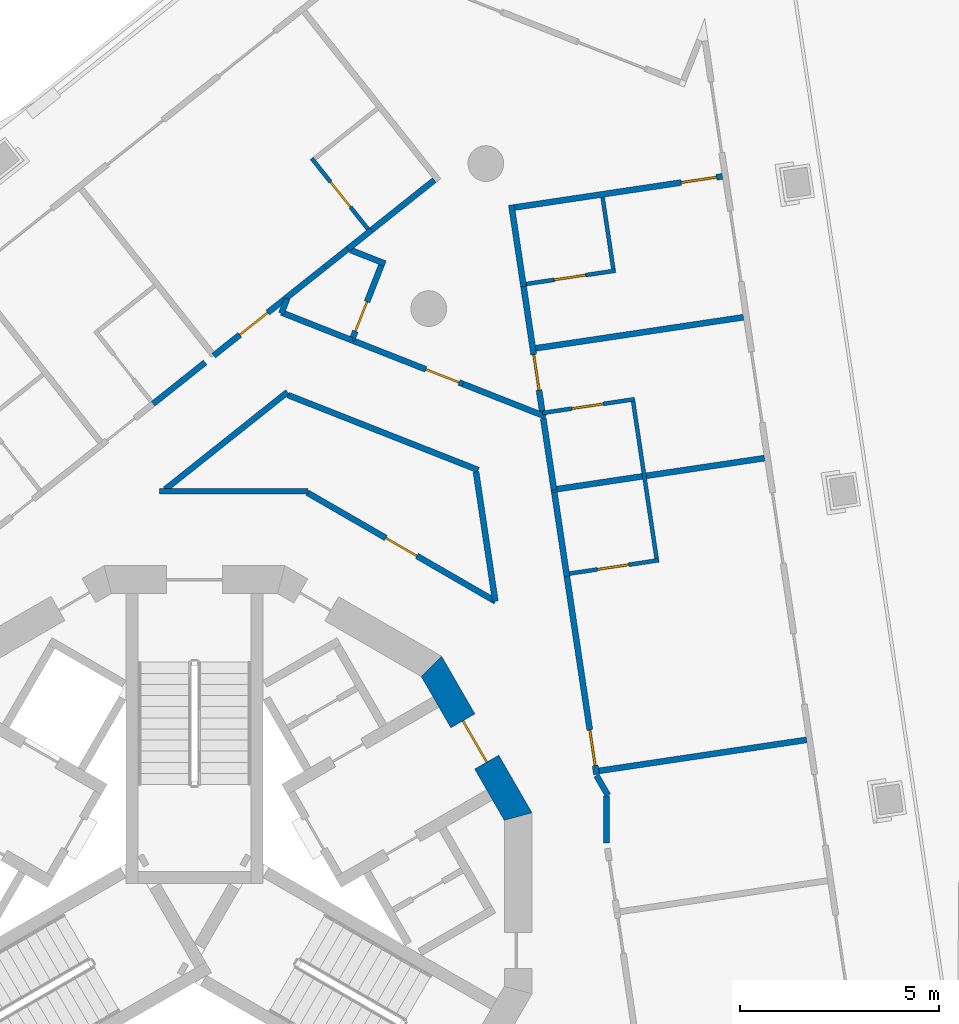
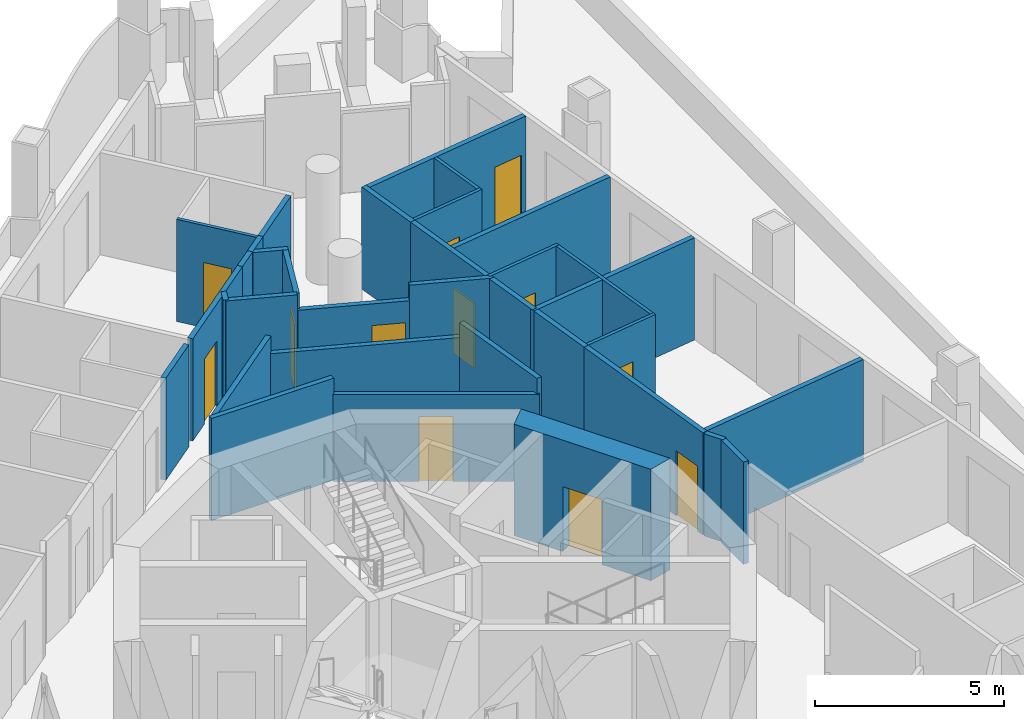
# One storey, part 8 of 16: 34 walls, 12 doors, 12 openings.
"""IFC4 building model written with IfcOpenShell, lengths in metres."""

from ifc_helpers import new_model, si_unit, direction, frame, frame_2d, origin, place, context, subcontext, project, spatial, polyline, rectangle, outline, extrude, material, layer, layer_set, type_object, element, fill, save


model = new_model("IFC4")

# Units and contexts
model_context = context("Model", 3, precision=1e-05, world=origin(), true_north=direction((0.0, 1.0)))
body_context = subcontext(model_context, "Body", "Model", "MODEL_VIEW")
ifc_project = project(units=[si_unit("LENGTHUNIT", "METRE"), si_unit("AREAUNIT", "SQUARE_METRE"), si_unit("VOLUMEUNIT", "CUBIC_METRE"), si_unit("PLANEANGLEUNIT", "RADIAN"), si_unit("MASSUNIT", "GRAM", prefix="KILO")], contexts=[model_context])

# Site, building, storey
site_placement = place(None, origin())
site = spatial("IfcSite", under=ifc_project, at=site_placement, CompositionType="ELEMENT")
building_placement = place(site_placement, origin())
building = spatial("IfcBuilding", under=site, at=building_placement, Name="Trine Commons Tower", CompositionType="ELEMENT")
storey_placement = place(building_placement, frame((0.0, 0.0, 198.0)))
storey = spatial("IfcBuildingStorey", under=building, at=storey_placement, Name="L51", CompositionType="ELEMENT", Elevation=198.0)

# Wall, opening, door
ifc_material_1 = material(Name="Concrete C60/75", Category="concrete")
ifc_layer_1 = layer(ifc_material_1, 0.699951171875)
ifc_layer_set_1 = layer_set([ifc_layer_1], Name="Concrete C60/75")
wall_type_1 = type_object("IfcWallType", Name="RC shear wall 700 mm, C60/75", PredefinedType="SHEAR", material=ifc_layer_set_1)
wall_1_placement = place(storey_placement, frame((88.197021484375, 64.6025390625, 0.0), z_axis=(0.0, 0.0, 1.0), x_axis=(-0.499983800959, 0.866034756103, 0.0)))
wall_1 = element("IfcWall", 1, at=wall_1_placement, inside=storey, type_object=wall_type_1, Name="Core wall CWF-02 L51", PredefinedType="SHEAR", context=body_context, shape_type="SweptSolid", body=[
    extrude(outline(polyline([(0.0, -0.35009765625), (4.55517578125, -0.35009765625), (4.36767578125, 0.35009765625), (0.1875, 0.35009765625), (0.0, -0.35009765625)])), origin(), (0.0, 0.0, 1.0), 3.60009765625),
])
opening_1_placement = place(wall_1_placement, frame((1.677490234375, 0.0, 0.0)))
opening_1 = element("IfcOpeningElement", 2, at=opening_1_placement, cuts=wall_1, Name="Opening K15.04", PredefinedType="OPENING", context=body_context, shape_type="SweptSolid", body=[
    extrude(rectangle(XDim=1.199951171875, YDim=2.10009765625, at=frame_2d((0.60009765625, 1.050048828125))), frame((0.0, 0.35986328125, 0.0), z_axis=(0.0, -1.0, 0.0), x_axis=(1.0, 0.0, 0.0)), (0.0, 0.0, 1.0), 0.719970703125),
])
ifc_material_2 = material(Name="Steel door leaves, fire-rated", Category="steel")
door_type_1 = type_object("IfcDoorType", Name="Lobby door, double leaf 1200 x 2100, FD60", OperationType="DOUBLE_DOOR_SINGLE_SWING", PredefinedType="DOOR", material=ifc_material_2)
door_1_placement = place(opening_1_placement, origin())
door_1 = element("IfcDoor", 3, at=door_1_placement, inside=storey, type_object=door_type_1, Name="Lobby door, Core lounge L51", OperationType="DOUBLE_DOOR_SINGLE_SWING", OverallHeight=2.10009765625, OverallWidth=1.199951171875, PredefinedType="DOOR", context=body_context, shape_type="SweptSolid", body=[
    extrude(rectangle(XDim=1.199951171875, YDim=2.10009765625, at=frame_2d((0.60009765625, 1.050048828125))), frame((0.0, 0.02490234375, 0.0), z_axis=(0.0, -1.0, 0.0), x_axis=(1.0, 0.0, 0.0)), (0.0, 0.0, 1.0), 0.050048828125),
])
fill(opening_1, door_1)

# Walls
ifc_material_3 = material(Name="Gypsum plasterboard on steel stud", Category="steel")
ifc_layer_2 = layer(ifc_material_3, 0.14990234375)
ifc_layer_set_2 = layer_set([ifc_layer_2], Name="Gypsum plasterboard on steel stud")
wall_type_2 = type_object("IfcWallType", Name="Unit and corridor wall 150 mm, EI 60", PredefinedType="PARTITIONING", material=ifc_layer_set_2)
wall_2_placement = place(storey_placement, frame((78.95703125, 75.074951171875, 0.0), z_axis=(0.0, 0.0, 1.0), x_axis=(0.782797783459, 0.622276168764, 0.0)))
element("IfcWall", 4, at=wall_2_placement, inside=storey, type_object=wall_type_2, Name="Partition 055", PredefinedType="PARTITIONING", context=body_context, shape_type="SweptSolid", body=[
    extrude(rectangle(XDim=1.676025390625, YDim=0.14990234375, at=frame_2d((0.837890625, 0.0))), origin(), (0.0, 0.0, 1.0), 3.300048828125),
])
wall_3_placement = place(storey_placement, frame((79.125, 72.875, 0.0), z_axis=(0.0, 0.0, 1.0), x_axis=(1.0, 0.0, 0.0)))
element("IfcWall", 5, at=wall_3_placement, inside=storey, type_object=wall_type_2, Name="Partition 056", PredefinedType="PARTITIONING", context=body_context, shape_type="SweptSolid", body=[
    extrude(rectangle(XDim=3.72998046875, YDim=0.14990234375, at=frame_2d((1.864990234375, 0.0))), origin(), (0.0, 0.0, 1.0), 3.300048828125),
])
wall_4_placement = place(storey_placement, frame((79.2626953125, 72.921630859375, 0.0), z_axis=(0.0, 0.0, 1.0), x_axis=(0.782518607784, 0.622627198629, 0.0)))
element("IfcWall", 6, at=wall_4_placement, inside=storey, type_object=wall_type_2, Name="Partition 057", PredefinedType="PARTITIONING", context=body_context, shape_type="SweptSolid", body=[
    extrude(rectangle(XDim=3.934814453125, YDim=0.14990234375, at=frame_2d((1.96728515625, 0.0))), origin(), (0.0, 0.0, 1.0), 3.300048828125),
])

# Wall, opening, door
wall_5_placement = place(storey_placement, frame((80.48291015625, 76.2890625, 0.0), z_axis=(0.0, 0.0, 1.0), x_axis=(0.782683898342, 0.622419404643, 0.0)))
wall_5 = element("IfcWall", 7, at=wall_5_placement, inside=storey, type_object=wall_type_2, Name="Partition 058", PredefinedType="PARTITIONING", context=body_context, shape_type="SweptSolid", body=[
    extrude(rectangle(XDim=3.589111328125, YDim=0.14990234375, at=frame_2d((1.79443359375, 0.0))), origin(), (0.0, 0.0, 1.0), 3.300048828125),
])
opening_2_placement = place(wall_5_placement, frame((0.841064453125, 0.0, 0.0)))
opening_2 = element("IfcOpeningElement", 8, at=opening_2_placement, cuts=wall_5, Name="Opening D-6A12", PredefinedType="OPENING", context=body_context, shape_type="SweptSolid", body=[
    extrude(rectangle(XDim=0.89990234375, YDim=2.10009765625, at=frame_2d((0.449951171875, 1.050048828125))), frame((0.0, 0.0849609375, 0.0), z_axis=(0.0, -1.0, 0.0), x_axis=(1.0, 0.0, 0.0)), (0.0, 0.0, 1.0), 0.169921875),
])
ifc_material_4 = material(Name="Timber fire door set", Category="wood")
door_type_2 = type_object("IfcDoorType", Name="Bedroom door 900 x 2100, FD30S", OperationType="NOTDEFINED", PredefinedType="DOOR", material=ifc_material_4)
door_2_placement = place(opening_2_placement, origin())
door_2 = element("IfcDoor", 9, at=door_2_placement, inside=storey, type_object=door_type_2, Name="Door D-6A12", OperationType="SINGLE_SWING_LEFT", OverallHeight=2.10009765625, OverallWidth=0.89990234375, PredefinedType="DOOR", context=body_context, shape_type="SweptSolid", body=[
    extrude(rectangle(XDim=0.89990234375, YDim=2.10009765625, at=frame_2d((0.449951171875, 1.050048828125))), frame((0.0, 0.02490234375, 0.0), z_axis=(0.0, -1.0, 0.0), x_axis=(1.0, 0.0, 0.0)), (0.0, 0.0, 1.0), 0.050048828125),
])
fill(opening_2, door_2)

# Walls
wall_6_placement = place(storey_placement, frame((82.19189453125, 77.3759765625, 0.0), z_axis=(0.0, 0.0, 1.0), x_axis=(0.93022308185, -0.366994574882, 0.0)))
element("IfcWall", 10, at=wall_6_placement, inside=storey, type_object=wall_type_2, Name="Partition 061", PredefinedType="PARTITIONING", context=body_context, shape_type="SweptSolid", body=[
    extrude(rectangle(XDim=1.9072265625, YDim=0.14990234375, at=frame_2d((0.95361328125, 0.0))), origin(), (0.0, 0.0, 1.0), 3.300048828125),
])
wall_7_placement = place(storey_placement, frame((82.188232421875, 77.3544921875, 0.0), z_axis=(0.0, 0.0, 1.0), x_axis=(0.365066779339, 0.930981335271, 0.0)))
element("IfcWall", 11, at=wall_7_placement, inside=storey, type_object=wall_type_2, Name="Partition 062", PredefinedType="PARTITIONING", context=body_context, shape_type="SweptSolid", body=[
    extrude(rectangle(XDim=0.39990234375, YDim=0.14990234375, at=frame_2d((0.199951171875, 0.0))), origin(), (0.0, 0.0, 1.0), 3.300048828125),
])
wall_8_placement = place(storey_placement, frame((82.352783203125, 75.297607421875, 0.0), z_axis=(0.0, 0.0, 1.0), x_axis=(0.930366278921, -0.366631404883, 0.0)))
element("IfcWall", 12, at=wall_8_placement, inside=storey, type_object=wall_type_2, Name="Partition 063", PredefinedType="PARTITIONING", context=body_context, shape_type="SweptSolid", body=[
    extrude(rectangle(XDim=5.15283203125, YDim=0.14990234375, at=frame_2d((2.576416015625, 0.0))), origin(), (0.0, 0.0, 1.0), 2.800048828125),
])

# Wall, opening, door
wall_9_placement = place(storey_placement, frame((82.844970703125, 72.83740234375, 0.0), z_axis=(0.0, 0.0, 1.0), x_axis=(0.865990633405, -0.500060219228, 0.0)))
wall_9 = element("IfcWall", 13, at=wall_9_placement, inside=storey, type_object=wall_type_2, Name="Partition 066", PredefinedType="PARTITIONING", context=body_context, shape_type="SweptSolid", body=[
    extrude(rectangle(XDim=5.464111328125, YDim=0.14990234375, at=frame_2d((2.73193359375, 0.0))), origin(), (0.0, 0.0, 1.0), 2.800048828125),
])
opening_3_placement = place(wall_9_placement, frame((2.280517578125, 0.0, 0.0)))
opening_3 = element("IfcOpeningElement", 14, at=opening_3_placement, cuts=wall_9, Name="Opening D-6A27", PredefinedType="OPENING", context=body_context, shape_type="SweptSolid", body=[
    extrude(rectangle(XDim=0.89990234375, YDim=2.10009765625, at=frame_2d((0.449951171875, 1.050048828125))), frame((0.0, 0.0849609375, 0.0), z_axis=(0.0, -1.0, 0.0), x_axis=(1.0, 0.0, 0.0)), (0.0, 0.0, 1.0), 0.169921875),
])
door_type_3 = type_object("IfcDoorType", Name="Service door 900 x 2100, FD30S", OperationType="NOTDEFINED", PredefinedType="DOOR", material=ifc_material_4)
door_3_placement = place(opening_3_placement, origin())
door_3 = element("IfcDoor", 15, at=door_3_placement, inside=storey, type_object=door_type_3, Name="Door D-6A27", OperationType="SINGLE_SWING_LEFT", OverallHeight=2.10009765625, OverallWidth=0.89990234375, PredefinedType="DOOR", context=body_context, shape_type="SweptSolid", body=[
    extrude(rectangle(XDim=0.89990234375, YDim=2.10009765625, at=frame_2d((0.449951171875, 1.050048828125))), frame((0.0, 0.02490234375, 0.0), z_axis=(0.0, -1.0, 0.0), x_axis=(1.0, 0.0, 0.0)), (0.0, 0.0, 1.0), 0.050048828125),
])
fill(opening_3, door_3)

# Walls
wall_10_placement = place(storey_placement, frame((83.2919921875, 78.52294921875, 0.0), z_axis=(0.0, 0.0, 1.0), x_axis=(0.782961678727, 0.622069939512, 0.0)))
element("IfcWall", 16, at=wall_10_placement, inside=storey, type_object=wall_type_2, Name="Partition 071", PredefinedType="PARTITIONING", context=body_context, shape_type="SweptSolid", body=[
    extrude(rectangle(XDim=0.726806640625, YDim=0.14990234375, at=frame_2d((0.36328125, 0.0))), origin(), (0.0, 0.0, 1.0), 3.300048828125),
])
wall_11_placement = place(storey_placement, frame((83.861083984375, 78.97509765625, 0.0), z_axis=(0.0, 0.0, 1.0), x_axis=(0.782427401713, 0.622741809298, 0.0)))
element("IfcWall", 17, at=wall_11_placement, inside=storey, type_object=wall_type_2, Name="Partition 074", PredefinedType="PARTITIONING", context=body_context, shape_type="SweptSolid", body=[
    extrude(rectangle(XDim=0.762939453125, YDim=0.14990234375, at=frame_2d((0.38134765625, 0.0))), origin(), (0.0, 0.0, 1.0), 3.300048828125),
])
wall_12_placement = place(storey_placement, frame((83.930908203125, 78.947509765625, 0.0), z_axis=(0.0, 0.0, 1.0), x_axis=(0.930564496223, -0.366128008175, 0.0)))
element("IfcWall", 18, at=wall_12_placement, inside=storey, type_object=wall_type_2, Name="Partition 075", PredefinedType="PARTITIONING", context=body_context, shape_type="SweptSolid", body=[
    extrude(rectangle(XDim=0.936767578125, YDim=0.14990234375, at=frame_2d((0.46826171875, 0.0))), origin(), (0.0, 0.0, 1.0), 3.300048828125),
])

# Wall, opening, door
wall_13_placement = place(storey_placement, frame((83.962890625, 76.677978515625, 0.0), z_axis=(0.0, 0.0, 1.0), x_axis=(0.366688940458, 0.9303436037, 0.0)))
wall_13 = element("IfcWall", 19, at=wall_13_placement, inside=storey, type_object=wall_type_2, Name="Partition 076", PredefinedType="PARTITIONING", context=body_context, shape_type="SweptSolid", body=[
    extrude(rectangle(XDim=2.025390625, YDim=0.14990234375, at=frame_2d((1.0126953125, 0.0))), origin(), (0.0, 0.0, 1.0), 3.300048828125),
])
opening_4_placement = place(wall_13_placement, frame((0.24267578125, 0.0, 0.0)))
opening_4 = element("IfcOpeningElement", 20, at=opening_4_placement, cuts=wall_13, Name="Opening D-6A04", PredefinedType="OPENING", context=body_context, shape_type="SweptSolid", body=[
    extrude(rectangle(XDim=0.800048828125, YDim=2.10009765625, at=frame_2d((0.39990234375, 1.050048828125))), frame((0.0, 0.0849609375, 0.0), z_axis=(0.0, -1.0, 0.0), x_axis=(1.0, 0.0, 0.0)), (0.0, 0.0, 1.0), 0.169921875),
])
ifc_material_5 = material(Name="Painted timber", Category="wood")
door_type_4 = type_object("IfcDoorType", Name="Toilet door 800 x 2100, NOT RATED", OperationType="NOTDEFINED", PredefinedType="DOOR", material=ifc_material_5)
door_4_placement = place(opening_4_placement, origin())
door_4 = element("IfcDoor", 21, at=door_4_placement, inside=storey, type_object=door_type_4, Name="Door D-6A04", OperationType="SINGLE_SWING_LEFT", OverallHeight=2.10009765625, OverallWidth=0.800048828125, PredefinedType="DOOR", context=body_context, shape_type="SweptSolid", body=[
    extrude(rectangle(XDim=0.800048828125, YDim=2.10009765625, at=frame_2d((0.39990234375, 1.050048828125))), frame((0.0, 0.02490234375, 0.0), z_axis=(0.0, -1.0, 0.0), x_axis=(1.0, 0.0, 0.0)), (0.0, 0.0, 1.0), 0.050048828125),
])
fill(opening_4, door_4)

wall_14_placement = place(storey_placement, frame((83.97705078125, 76.672119140625, 0.0), z_axis=(0.0, 0.0, 1.0), x_axis=(0.930513911047, -0.36625655127, 0.0)))
wall_14 = element("IfcWall", 22, at=wall_14_placement, inside=storey, type_object=wall_type_2, Name="Partition 077", PredefinedType="PARTITIONING", context=body_context, shape_type="SweptSolid", body=[
    extrude(rectangle(XDim=2.987548828125, YDim=0.14990234375, at=frame_2d((1.49365234375, 0.0))), origin(), (0.0, 0.0, 1.0), 2.800048828125),
])
opening_5_placement = place(wall_14_placement, frame((1.987548828125, 0.0, 0.0)))
opening_5 = element("IfcOpeningElement", 23, at=opening_5_placement, cuts=wall_14, Name="Opening D-6A01", PredefinedType="OPENING", context=body_context, shape_type="SweptSolid", body=[
    extrude(rectangle(XDim=0.89990234375, YDim=2.10009765625, at=frame_2d((0.449951171875, 1.050048828125))), frame((0.0, 0.0849609375, 0.0), z_axis=(0.0, -1.0, 0.0), x_axis=(1.0, 0.0, 0.0)), (0.0, 0.0, 1.0), 0.169921875),
])
door_type_5 = type_object("IfcDoorType", Name="Cluster entrance door 900 x 2100, FD30S", OperationType="NOTDEFINED", PredefinedType="DOOR", material=ifc_material_4)
door_5_placement = place(opening_5_placement, origin())
door_5 = element("IfcDoor", 24, at=door_5_placement, inside=storey, type_object=door_type_5, Name="Door D-6A01", OperationType="SINGLE_SWING_RIGHT", OverallHeight=2.10009765625, OverallWidth=0.89990234375, PredefinedType="DOOR", context=body_context, shape_type="SweptSolid", body=[
    extrude(rectangle(XDim=0.89990234375, YDim=2.10009765625, at=frame_2d((0.449951171875, 1.050048828125))), frame((0.0, 0.02490234375, 0.0), z_axis=(0.0, -1.0, 0.0), x_axis=(1.0, 0.0, 0.0)), (0.0, 0.0, 1.0), 0.050048828125),
])
fill(opening_5, door_5)

# Walls
wall_15_placement = place(storey_placement, frame((84.4130859375, 79.4150390625, 0.0), z_axis=(0.0, 0.0, 1.0), x_axis=(0.782688216637, 0.622413974407, 0.0)))
element("IfcWall", 25, at=wall_15_placement, inside=storey, type_object=wall_type_2, Name="Partition 078", PredefinedType="PARTITIONING", context=body_context, shape_type="SweptSolid", body=[
    extrude(rectangle(XDim=2.07763671875, YDim=0.14990234375, at=frame_2d((1.038818359375, 0.0))), origin(), (0.0, 0.0, 1.0), 3.300048828125),
])
wall_16_placement = place(storey_placement, frame((86.757080078125, 75.577880859375, 0.0), z_axis=(0.0, 0.0, 1.0), x_axis=(0.930344172236, -0.366687497997, 0.0)))
element("IfcWall", 26, at=wall_16_placement, inside=storey, type_object=wall_type_2, Name="Partition 084", PredefinedType="PARTITIONING", context=body_context, shape_type="SweptSolid", body=[
    extrude(rectangle(XDim=2.23974609375, YDim=0.14990234375, at=frame_2d((1.119873046875, 0.0))), origin(), (0.0, 0.0, 1.0), 3.300048828125),
])
wall_17_placement = place(storey_placement, frame((87.088134765625, 73.36181640625, 0.0), z_axis=(0.0, 0.0, 1.0), x_axis=(0.147629393442, -0.989042750437, 0.0)))
element("IfcWall", 27, at=wall_17_placement, inside=storey, type_object=wall_type_2, Name="Partition 085", PredefinedType="PARTITIONING", context=body_context, shape_type="SweptSolid", body=[
    extrude(rectangle(XDim=3.291015625, YDim=0.14990234375, at=frame_2d((1.6455078125, 0.0))), origin(), (0.0, 0.0, 1.0), 3.300048828125),
])
wall_18_placement = place(storey_placement, frame((87.97900390625, 80.084228515625, 0.0), z_axis=(0.0, 0.0, 1.0), x_axis=(0.147880939426, -0.989005170742, 0.0)))
element("IfcWall", 28, at=wall_18_placement, inside=storey, type_object=wall_type_2, Name="Partition 088", PredefinedType="PARTITIONING", context=body_context, shape_type="SweptSolid", body=[
    extrude(rectangle(XDim=2.07861328125, YDim=0.14990234375, at=frame_2d((1.039306640625, 0.0))), origin(), (0.0, 0.0, 1.0), 3.300048828125),
])

# Wall, opening, door
wall_19_placement = place(storey_placement, frame((88.064208984375, 80.02099609375, 0.0), z_axis=(0.0, 0.0, 1.0), x_axis=(0.988994889639, 0.147949681543, 0.0)))
wall_19 = element("IfcWall", 29, at=wall_19_placement, inside=storey, type_object=wall_type_2, Name="Partition 089", PredefinedType="PARTITIONING", context=body_context, shape_type="SweptSolid", body=[
    extrude(rectangle(XDim=5.285400390625, YDim=0.14990234375, at=frame_2d((2.642578125, 0.0))), origin(), (0.0, 0.0, 1.0), 3.300048828125),
])
opening_6_placement = place(wall_19_placement, frame((4.2353515625, 0.0, 0.0)))
opening_6 = element("IfcOpeningElement", 30, at=opening_6_placement, cuts=wall_19, Name="Opening D-6A13", PredefinedType="OPENING", context=body_context, shape_type="SweptSolid", body=[
    extrude(rectangle(XDim=0.89990234375, YDim=2.10009765625, at=frame_2d((0.449951171875, 1.050048828125))), frame((0.0, 0.0849609375, 0.0), z_axis=(0.0, -1.0, 0.0), x_axis=(1.0, 0.0, 0.0)), (0.0, 0.0, 1.0), 0.169921875),
])
door_6_placement = place(opening_6_placement, frame((0.89990234375, 0.0, 0.0), z_axis=(0.0, 0.0, 1.0), x_axis=(-1.0, 0.0, 0.0)))
door_6 = element("IfcDoor", 31, at=door_6_placement, inside=storey, type_object=door_type_2, Name="Door D-6A13", OperationType="SINGLE_SWING_LEFT", OverallHeight=2.10009765625, OverallWidth=0.89990234375, PredefinedType="DOOR", context=body_context, shape_type="SweptSolid", body=[
    extrude(rectangle(XDim=0.89990234375, YDim=2.10009765625, at=frame_2d((0.449951171875, 1.050048828125))), frame((0.0, 0.02490234375, 0.0), z_axis=(0.0, -1.0, 0.0), x_axis=(1.0, 0.0, 0.0)), (0.0, 0.0, 1.0), 0.050048828125),
])
fill(opening_6, door_6)

wall_20_placement = place(storey_placement, frame((88.278076171875, 78.0859375, 0.0), z_axis=(0.0, 0.0, 1.0), x_axis=(0.147535964678, -0.989056691563, 0.0)))
wall_20 = element("IfcWall", 32, at=wall_20_placement, inside=storey, type_object=wall_type_2, Name="Partition 091", PredefinedType="PARTITIONING", context=body_context, shape_type="SweptSolid", body=[
    extrude(rectangle(XDim=3.27978515625, YDim=0.14990234375, at=frame_2d((1.639892578125, 0.0))), origin(), (0.0, 0.0, 1.0), 3.300048828125),
])
opening_7_placement = place(wall_20_placement, frame((1.789794921875, 0.0, 0.0)))
opening_7 = element("IfcOpeningElement", 33, at=opening_7_placement, cuts=wall_20, Name="Opening D-6A14", PredefinedType="OPENING", context=body_context, shape_type="SweptSolid", body=[
    extrude(rectangle(XDim=0.89990234375, YDim=2.10009765625, at=frame_2d((0.449951171875, 1.050048828125))), frame((0.0, 0.0849609375, 0.0), z_axis=(0.0, -1.0, 0.0), x_axis=(1.0, 0.0, 0.0)), (0.0, 0.0, 1.0), 0.169921875),
])
door_7_placement = place(opening_7_placement, origin())
door_7 = element("IfcDoor", 34, at=door_7_placement, inside=storey, type_object=door_type_2, Name="Door D-6A14", OperationType="SINGLE_SWING_RIGHT", OverallHeight=2.10009765625, OverallWidth=0.89990234375, PredefinedType="DOOR", context=body_context, shape_type="SweptSolid", body=[
    extrude(rectangle(XDim=0.89990234375, YDim=2.10009765625, at=frame_2d((0.449951171875, 1.050048828125))), frame((0.0, 0.02490234375, 0.0), z_axis=(0.0, -1.0, 0.0), x_axis=(1.0, 0.0, 0.0)), (0.0, 0.0, 1.0), 0.050048828125),
])
fill(opening_7, door_7)

# Walls
wall_21_placement = place(storey_placement, frame((88.59423828125, 76.47509765625, 0.0), z_axis=(0.0, 0.0, 1.0), x_axis=(0.989020900083, 0.147775705715, 0.0)))
element("IfcWall", 35, at=wall_21_placement, inside=storey, type_object=wall_type_2, Name="Partition 094", PredefinedType="PARTITIONING", context=body_context, shape_type="SweptSolid", body=[
    extrude(rectangle(XDim=5.28515625, YDim=0.14990234375, at=frame_2d((2.642578125, 0.0))), origin(), (0.0, 0.0, 1.0), 3.300048828125),
])
wall_22_placement = place(storey_placement, frame((88.781982421875, 74.709716796875, 0.0), z_axis=(0.0, 0.0, 1.0), x_axis=(0.148097298626, -0.98897279545, 0.0)))
element("IfcWall", 36, at=wall_22_placement, inside=storey, type_object=wall_type_2, Name="Partition 096", PredefinedType="PARTITIONING", context=body_context, shape_type="SweptSolid", body=[
    extrude(rectangle(XDim=1.816650390625, YDim=0.14990234375, at=frame_2d((0.908203125, 0.0))), origin(), (0.0, 0.0, 1.0), 3.300048828125),
])
wall_23_placement = place(storey_placement, frame((88.975830078125, 72.906005859375, 0.0), z_axis=(0.0, 0.0, 1.0), x_axis=(0.989026447028, 0.147738576813, 0.0)))
element("IfcWall", 37, at=wall_23_placement, inside=storey, type_object=wall_type_2, Name="Partition 097", PredefinedType="PARTITIONING", context=body_context, shape_type="SweptSolid", body=[
    extrude(rectangle(XDim=5.43505859375, YDim=0.14990234375, at=frame_2d((2.717529296875, 0.0))), origin(), (0.0, 0.0, 1.0), 3.300048828125),
])
wall_24_placement = place(storey_placement, frame((89.06103515625, 72.8466796875, 0.0), z_axis=(0.0, 0.0, 1.0), x_axis=(0.147461434702, -0.989067806207, 0.0)))
element("IfcWall", 38, at=wall_24_placement, inside=storey, type_object=wall_type_2, Name="Partition 098", PredefinedType="PARTITIONING", context=body_context, shape_type="SweptSolid", body=[
    extrude(rectangle(XDim=2.13232421875, YDim=0.14990234375, at=frame_2d((1.066162109375, 0.0))), origin(), (0.0, 0.0, 1.0), 3.300048828125),
])

# Wall, opening, door
wall_25_placement = place(storey_placement, frame((89.366943359375, 70.794921875, 0.0), z_axis=(0.0, 0.0, 1.0), x_axis=(0.147912499189, -0.989000451256, 0.0)))
wall_25 = element("IfcWall", 39, at=wall_25_placement, inside=storey, type_object=wall_type_2, Name="Partition 101", PredefinedType="PARTITIONING", context=body_context, shape_type="SweptSolid", body=[
    extrude(rectangle(XDim=5.105224609375, YDim=0.14990234375, at=frame_2d((2.552734375, 0.0))), origin(), (0.0, 0.0, 1.0), 3.300048828125),
])
opening_8_placement = place(wall_25_placement, frame((3.976318359375, 0.0, 0.0)))
opening_8 = element("IfcOpeningElement", 40, at=opening_8_placement, cuts=wall_25, Name="Opening D-6A15", PredefinedType="OPENING", context=body_context, shape_type="SweptSolid", body=[
    extrude(rectangle(XDim=0.89990234375, YDim=2.10009765625, at=frame_2d((0.449951171875, 1.050048828125))), frame((0.0, 0.0849609375, 0.0), z_axis=(0.0, -1.0, 0.0), x_axis=(1.0, 0.0, 0.0)), (0.0, 0.0, 1.0), 0.169921875),
])
door_8_placement = place(opening_8_placement, origin())
door_8 = element("IfcDoor", 41, at=door_8_placement, inside=storey, type_object=door_type_2, Name="Door D-6A15", OperationType="SINGLE_SWING_RIGHT", OverallHeight=2.10009765625, OverallWidth=0.89990234375, PredefinedType="DOOR", context=body_context, shape_type="SweptSolid", body=[
    extrude(rectangle(XDim=0.89990234375, YDim=2.10009765625, at=frame_2d((0.449951171875, 1.050048828125))), frame((0.0, 0.02490234375, 0.0), z_axis=(0.0, -1.0, 0.0), x_axis=(1.0, 0.0, 0.0)), (0.0, 0.0, 1.0), 0.050048828125),
])
fill(opening_8, door_8)

# Walls
wall_26_placement = place(storey_placement, frame((90.18408203125, 65.835205078125, 0.0), z_axis=(0.0, 0.0, 1.0), x_axis=(0.98902190879, 0.147768954566, 0.0)))
element("IfcWall", 42, at=wall_26_placement, inside=storey, type_object=wall_type_2, Name="Partition 104", PredefinedType="PARTITIONING", context=body_context, shape_type="SweptSolid", body=[
    extrude(rectangle(XDim=5.285400390625, YDim=0.14990234375, at=frame_2d((2.642578125, 0.0))), origin(), (0.0, 0.0, 1.0), 3.300048828125),
])
wall_27_placement = place(storey_placement, frame((90.12109375, 65.718994140625, 0.0), z_axis=(0.0, 0.0, 1.0), x_axis=(0.500738673164, -0.865598510395, 0.0)))
element("IfcWall", 43, at=wall_27_placement, inside=storey, type_object=wall_type_2, Name="Partition 105", PredefinedType="PARTITIONING", context=body_context, shape_type="SweptSolid", body=[
    extrude(rectangle(XDim=0.58203125, YDim=0.14990234375, at=frame_2d((0.291015625, 0.0))), origin(), (0.0, 0.0, 1.0), 3.300048828125),
])
wall_28_placement = place(storey_placement, frame((90.375, 64.02294921875, 0.0), z_axis=(0.0, 0.0, 1.0), x_axis=(0.0, 1.0, 0.0)))
element("IfcWall", 44, at=wall_28_placement, inside=storey, type_object=wall_type_2, Name="Partition 109", PredefinedType="PARTITIONING", context=body_context, shape_type="SweptSolid", body=[
    extrude(rectangle(XDim=1.18212890625, YDim=0.14990234375, at=frame_2d((0.591064453125, 0.0))), origin(), (0.0, 0.0, 1.0), 3.300048828125),
])

# Wall, opening, door
ifc_layer_3 = layer(ifc_material_3, 0.10009765625)
ifc_layer_set_3 = layer_set([ifc_layer_3], Name="Gypsum plasterboard on steel stud")
wall_type_3 = type_object("IfcWallType", Name="Unit partition 100 mm, no rating", PredefinedType="PARTITIONING", material=ifc_layer_set_3)
wall_29_placement = place(storey_placement, frame((82.952880859375, 81.256103515625, 0.0), z_axis=(0.0, 0.0, 1.0), x_axis=(0.622572854105, -0.782561845052, 0.0)))
wall_29 = element("IfcWall", 45, at=wall_29_placement, inside=storey, type_object=wall_type_3, Name="Partition 069", PredefinedType="PARTITIONING", context=body_context, shape_type="SweptSolid", body=[
    extrude(rectangle(XDim=2.275146484375, YDim=0.10009765625, at=frame_2d((1.1376953125, 0.0))), origin(), (0.0, 0.0, 1.0), 3.300048828125),
])
opening_9_placement = place(wall_29_placement, frame((0.7626953125, 0.0, 0.0)))
opening_9 = element("IfcOpeningElement", 46, at=opening_9_placement, cuts=wall_29, Name="Opening D-6A33", PredefinedType="OPENING", context=body_context, shape_type="SweptSolid", body=[
    extrude(rectangle(XDim=0.800048828125, YDim=2.10009765625, at=frame_2d((0.39990234375, 1.050048828125))), frame((0.0, 0.06005859375, 0.0), z_axis=(0.0, -1.0, 0.0), x_axis=(1.0, 0.0, 0.0)), (0.0, 0.0, 1.0), 0.1201171875),
])
door_type_6 = type_object("IfcDoorType", Name="Internal door 800 x 2100, NOT RATED", OperationType="NOTDEFINED", PredefinedType="DOOR", material=ifc_material_5)
door_9_placement = place(opening_9_placement, frame((0.800048828125, 0.0, 0.0), z_axis=(0.0, 0.0, 1.0), x_axis=(-1.0, 0.0, 0.0)))
door_9 = element("IfcDoor", 47, at=door_9_placement, inside=storey, type_object=door_type_6, Name="Door D-6A33", OperationType="SINGLE_SWING_LEFT", OverallHeight=2.10009765625, OverallWidth=0.800048828125, PredefinedType="DOOR", context=body_context, shape_type="SweptSolid", body=[
    extrude(rectangle(XDim=0.800048828125, YDim=2.10009765625, at=frame_2d((0.39990234375, 1.050048828125))), frame((0.0, 0.02490234375, 0.0), z_axis=(0.0, -1.0, 0.0), x_axis=(1.0, 0.0, 0.0)), (0.0, 0.0, 1.0), 0.050048828125),
])
fill(opening_9, door_9)

wall_30_placement = place(storey_placement, frame((88.352294921875, 78.093017578125, 0.0), z_axis=(0.0, 0.0, 1.0), x_axis=(0.989007860101, 0.147862952286, 0.0)))
wall_30 = element("IfcWall", 48, at=wall_30_placement, inside=storey, type_object=wall_type_3, Name="Partition 090", PredefinedType="PARTITIONING", context=body_context, shape_type="SweptSolid", body=[
    extrude(rectangle(XDim=2.275146484375, YDim=0.10009765625, at=frame_2d((1.1376953125, 0.0))), origin(), (0.0, 0.0, 1.0), 3.300048828125),
])
opening_10_placement = place(wall_30_placement, frame((0.712646484375, 0.0, 0.0)))
opening_10 = element("IfcOpeningElement", 49, at=opening_10_placement, cuts=wall_30, Name="Opening D-6A34", PredefinedType="OPENING", context=body_context, shape_type="SweptSolid", body=[
    extrude(rectangle(XDim=0.800048828125, YDim=2.10009765625, at=frame_2d((0.39990234375, 1.050048828125))), frame((0.0, 0.06005859375, 0.0), z_axis=(0.0, -1.0, 0.0), x_axis=(1.0, 0.0, 0.0)), (0.0, 0.0, 1.0), 0.1201171875),
])
door_10_placement = place(opening_10_placement, frame((0.800048828125, 0.0, 0.0), z_axis=(0.0, 0.0, 1.0), x_axis=(-1.0, 0.0, 0.0)))
door_10 = element("IfcDoor", 50, at=door_10_placement, inside=storey, type_object=door_type_6, Name="Door D-6A34", OperationType="SINGLE_SWING_RIGHT", OverallHeight=2.10009765625, OverallWidth=0.800048828125, PredefinedType="DOOR", context=body_context, shape_type="SweptSolid", body=[
    extrude(rectangle(XDim=0.800048828125, YDim=2.10009765625, at=frame_2d((0.39990234375, 1.050048828125))), frame((0.0, 0.02490234375, 0.0), z_axis=(0.0, -1.0, 0.0), x_axis=(1.0, 0.0, 0.0)), (0.0, 0.0, 1.0), 0.050048828125),
])
fill(opening_10, door_10)

wall_31_placement = place(storey_placement, frame((88.761962890625, 74.845947265625, 0.0), z_axis=(0.0, 0.0, 1.0), x_axis=(0.989014693812, 0.147817236561, 0.0)))
wall_31 = element("IfcWall", 51, at=wall_31_placement, inside=storey, type_object=wall_type_3, Name="Partition 095", PredefinedType="PARTITIONING", context=body_context, shape_type="SweptSolid", body=[
    extrude(rectangle(XDim=2.350341796875, YDim=0.10009765625, at=frame_2d((1.17529296875, 0.0))), origin(), (0.0, 0.0, 1.0), 3.300048828125),
])
opening_11_placement = place(wall_31_placement, frame((0.75, 0.0, 0.0)))
opening_11 = element("IfcOpeningElement", 52, at=opening_11_placement, cuts=wall_31, Name="Opening D-6A35", PredefinedType="OPENING", context=body_context, shape_type="SweptSolid", body=[
    extrude(rectangle(XDim=0.800048828125, YDim=2.10009765625, at=frame_2d((0.39990234375, 1.050048828125))), frame((0.0, 0.06005859375, 0.0), z_axis=(0.0, -1.0, 0.0), x_axis=(1.0, 0.0, 0.0)), (0.0, 0.0, 1.0), 0.1201171875),
])
door_11_placement = place(opening_11_placement, origin())
door_11 = element("IfcDoor", 53, at=door_11_placement, inside=storey, type_object=door_type_6, Name="Door D-6A35", OperationType="SINGLE_SWING_LEFT", OverallHeight=2.10009765625, OverallWidth=0.800048828125, PredefinedType="DOOR", context=body_context, shape_type="SweptSolid", body=[
    extrude(rectangle(XDim=0.800048828125, YDim=2.10009765625, at=frame_2d((0.39990234375, 1.050048828125))), frame((0.0, 0.02490234375, 0.0), z_axis=(0.0, -1.0, 0.0), x_axis=(1.0, 0.0, 0.0)), (0.0, 0.0, 1.0), 0.050048828125),
])
fill(opening_11, door_11)

wall_32_placement = place(storey_placement, frame((89.442138671875, 70.802001953125, 0.0), z_axis=(0.0, 0.0, 1.0), x_axis=(0.989007860101, 0.147862952286, 0.0)))
wall_32 = element("IfcWall", 54, at=wall_32_placement, inside=storey, type_object=wall_type_3, Name="Partition 102", PredefinedType="PARTITIONING", context=body_context, shape_type="SweptSolid", body=[
    extrude(rectangle(XDim=2.275146484375, YDim=0.10009765625, at=frame_2d((1.1376953125, 0.0))), origin(), (0.0, 0.0, 1.0), 3.300048828125),
])
opening_12_placement = place(wall_32_placement, frame((0.712646484375, 0.0, 0.0)))
opening_12 = element("IfcOpeningElement", 55, at=opening_12_placement, cuts=wall_32, Name="Opening D-6A36", PredefinedType="OPENING", context=body_context, shape_type="SweptSolid", body=[
    extrude(rectangle(XDim=0.800048828125, YDim=2.10009765625, at=frame_2d((0.39990234375, 1.050048828125))), frame((0.0, 0.06005859375, 0.0), z_axis=(0.0, -1.0, 0.0), x_axis=(1.0, 0.0, 0.0)), (0.0, 0.0, 1.0), 0.1201171875),
])
door_12_placement = place(opening_12_placement, frame((0.800048828125, 0.0, 0.0), z_axis=(0.0, 0.0, 1.0), x_axis=(-1.0, 0.0, 0.0)))
door_12 = element("IfcDoor", 56, at=door_12_placement, inside=storey, type_object=door_type_6, Name="Door D-6A36", OperationType="SINGLE_SWING_RIGHT", OverallHeight=2.10009765625, OverallWidth=0.800048828125, PredefinedType="DOOR", context=body_context, shape_type="SweptSolid", body=[
    extrude(rectangle(XDim=0.800048828125, YDim=2.10009765625, at=frame_2d((0.39990234375, 1.050048828125))), frame((0.0, 0.02490234375, 0.0), z_axis=(0.0, -1.0, 0.0), x_axis=(1.0, 0.0, 0.0)), (0.0, 0.0, 1.0), 0.050048828125),
])
fill(opening_12, door_12)

# Walls
wall_33_placement = place(storey_placement, frame((90.276123046875, 80.27587890625, 0.0), z_axis=(0.0, 0.0, 1.0), x_axis=(0.14773187693, -0.989027447819, 0.0)))
element("IfcWall", 57, at=wall_33_placement, inside=storey, type_object=wall_type_3, Name="Partition 106", PredefinedType="PARTITIONING", context=body_context, shape_type="SweptSolid", body=[
    extrude(rectangle(XDim=1.824462890625, YDim=0.10009765625, at=frame_2d((0.912109375, 0.0))), origin(), (0.0, 0.0, 1.0), 3.300048828125),
])
wall_34_placement = place(storey_placement, frame((91.04443359375, 75.136474609375, 0.0), z_axis=(0.0, 0.0, 1.0), x_axis=(0.147767379107, -0.989022144177, 0.0)))
element("IfcWall", 58, at=wall_34_placement, inside=storey, type_object=wall_type_3, Name="Partition 113", PredefinedType="PARTITIONING", context=body_context, shape_type="SweptSolid", body=[
    extrude(rectangle(XDim=4.0, YDim=0.10009765625, at=frame_2d((2.0, 0.0))), origin(), (0.0, 0.0, 1.0), 3.300048828125),
])

save(model, "model.ifc")
